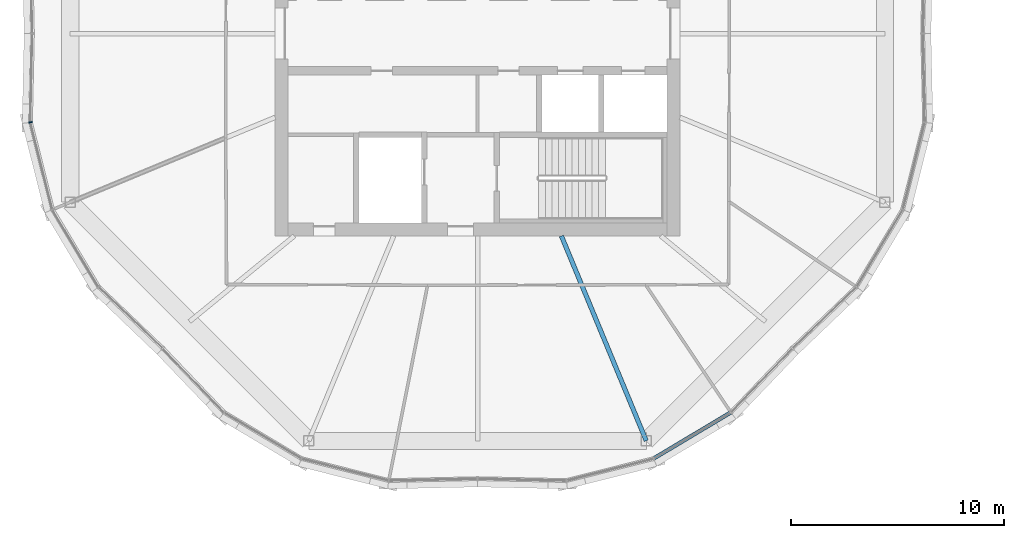
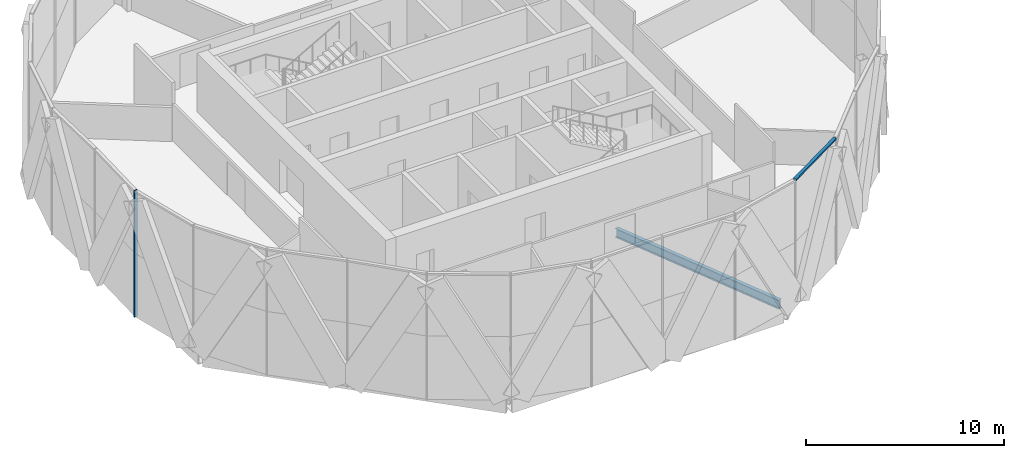
# One storey, part 4 of 26: 2 members, 1 beam, 2 elements without a shape of their own.
"""IFC4 building model written with IfcOpenShell, lengths in metres."""

from ifc_helpers import new_model, si_unit, direction, frame, origin, origin_2d, place, context, subcontext, project, spatial, rectangle, i_section, extrude, material, material_profile, profile_set, type_object, element, aggregate, save


model = new_model("IFC4")

# Units and contexts
model_context = context("Model", 3, precision=1e-05, world=origin(), true_north=direction((0.0, 1.0)))
body_context = subcontext(model_context, "Body", "Model", "MODEL_VIEW")
ifc_project = project(units=[si_unit("LENGTHUNIT", "METRE"), si_unit("AREAUNIT", "SQUARE_METRE"), si_unit("VOLUMEUNIT", "CUBIC_METRE"), si_unit("PLANEANGLEUNIT", "RADIAN"), si_unit("MASSUNIT", "GRAM", prefix="KILO")], contexts=[model_context])

# Site, building, storey
site_placement = place(None, origin())
site = spatial("IfcSite", under=ifc_project, at=site_placement, CompositionType="ELEMENT")
building_placement = place(site_placement, origin())
building = spatial("IfcBuilding", under=site, at=building_placement, Name="Ogive Gate Towers", CompositionType="ELEMENT")
storey_placement = place(building_placement, frame((0.0, 0.0, 208.5)))
storey = spatial("IfcBuildingStorey", under=building, at=storey_placement, Name="L50", CompositionType="ELEMENT", Elevation=208.5)

# Beam
ifc_material_1 = material(Name="Steel SM355", Category="steel")
ifc_material_profile_1 = material_profile(ifc_material_1, i_section(OverallWidth=0.2099609375, OverallDepth=0.550048828125, WebThickness=0.010986328125, FlangeThickness=0.01708984375, FilletRadius=0.02392578125, at=origin_2d()), Name="IPE 550")
ifc_profile_set_1 = profile_set([ifc_material_profile_1], Name="Steel SM355")
beam_type = type_object("IfcBeamType", Name="Radial floor beam IPE 550", PredefinedType="BEAM", material=ifc_profile_set_1)
beam_placement = place(storey_placement, frame((-32.06494140625, -9.5, -0.574951171875), z_axis=(0.382683978464, -0.92387930631, 0.0), x_axis=(0.92387930631, 0.382683978464, 0.0)))
element("IfcBeam", 1, at=beam_placement, inside=storey, type_object=beam_type, Name="T1/L50/SBM005", PredefinedType="BEAM", context=body_context, shape_type="SweptSolid", body=[
    extrude(i_section(OverallWidth=0.2099609375, OverallDepth=0.550048828125, WebThickness=0.010986328125, FlangeThickness=0.01708984375, FilletRadius=0.02392578125, at=origin_2d()), origin(), (0.0, 0.0, 1.0), 10.4072265625),
])

# Curtain wall, member
ifc_material_2 = material(Name="Pale metal aluminium", Category="aluminium")
curtain_wall_type = type_object("IfcCurtainWallType", Name="Tower unitised wall, high zone", PredefinedType="NOTDEFINED", material=ifc_material_2)
curtain_wall_1_placement = place(storey_placement, origin())
curtain_wall_1 = element("IfcCurtainWall", 2, at=curtain_wall_1_placement, inside=storey, type_object=curtain_wall_type, Name="CW2 T1 ECW05", PredefinedType="NOTDEFINED")
ifc_material_profile_2 = material_profile(ifc_material_2, rectangle(XDim=0.179931640625, YDim=0.06005859375, at=origin_2d()), Name="60 x 180 aluminium box")
ifc_profile_set_2 = profile_set([ifc_material_profile_2], Name="Pale metal aluminium")
member_type_1 = type_object("IfcMemberType", Name="Tower unitised wall, high zone mullion 60 x 180", PredefinedType="MULLION", material=ifc_profile_set_2)
member_1_placement = place(storey_placement, frame((-56.981201171875, -4.165771484375, -0.300048828125), z_axis=(0.0, 0.0, 1.0), x_axis=(-0.993662420818, -0.112405486759, 0.0)))
member_1 = element("IfcMember", 3, at=member_1_placement, type_object=member_type_1, Name="CW2 mullion", PredefinedType="MULLION", context=body_context, shape_type="SweptSolid", body=[
    extrude(rectangle(XDim=0.179931640625, YDim=0.06005859375, at=origin_2d()), origin(), (0.0, 0.0, 1.0), 7.800048828125),
])
aggregate(curtain_wall_1, [member_1])

curtain_wall_2_placement = place(storey_placement, origin())
curtain_wall_2 = element("IfcCurtainWall", 4, at=curtain_wall_2_placement, inside=storey, type_object=curtain_wall_type, Name="CW2 T1 ECW07", PredefinedType="NOTDEFINED")
ifc_material_profile_3 = material_profile(ifc_material_2, rectangle(XDim=0.179931640625, YDim=0.10009765625, at=origin_2d()), Name="100 x 180 aluminium box")
ifc_profile_set_3 = profile_set([ifc_material_profile_3], Name="Pale metal aluminium")
member_type_2 = type_object("IfcMemberType", Name="Tower unitised wall, high zone transom 100 x 180", PredefinedType="USERDEFINED", material=ifc_profile_set_3)
member_2_placement = place(storey_placement, frame((-27.712890625, -19.932861328125, 7.449951171875), z_axis=(0.858555803666, 0.512720130278, 0.0), x_axis=(-0.512720130278, 0.858555803666, 0.0)))
member_2 = element("IfcMember", 5, at=member_2_placement, type_object=member_type_2, Name="CW2 transom", ObjectType="TRANSOM", PredefinedType="USERDEFINED", context=body_context, shape_type="SweptSolid", body=[
    extrude(rectangle(XDim=0.179931640625, YDim=0.10009765625, at=origin_2d()), origin(), (0.0, 0.0, 1.0), 4.16796875),
])
aggregate(curtain_wall_2, [member_2])

save(model, "model.ifc")
